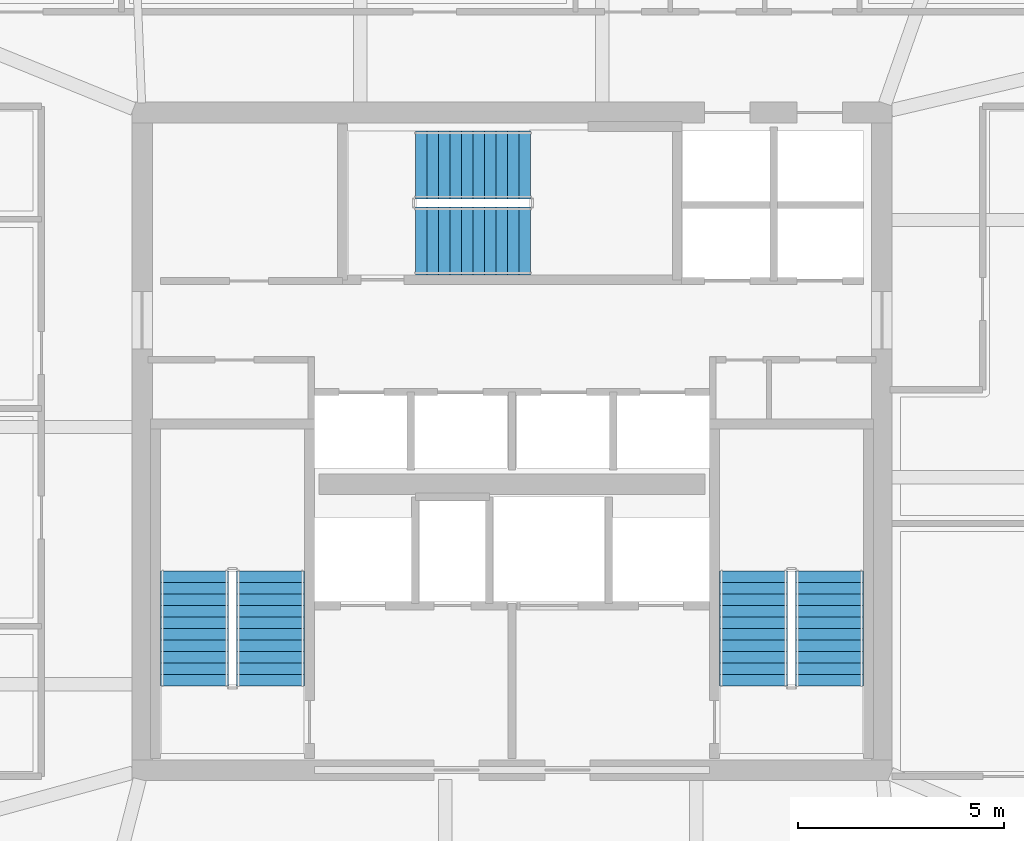
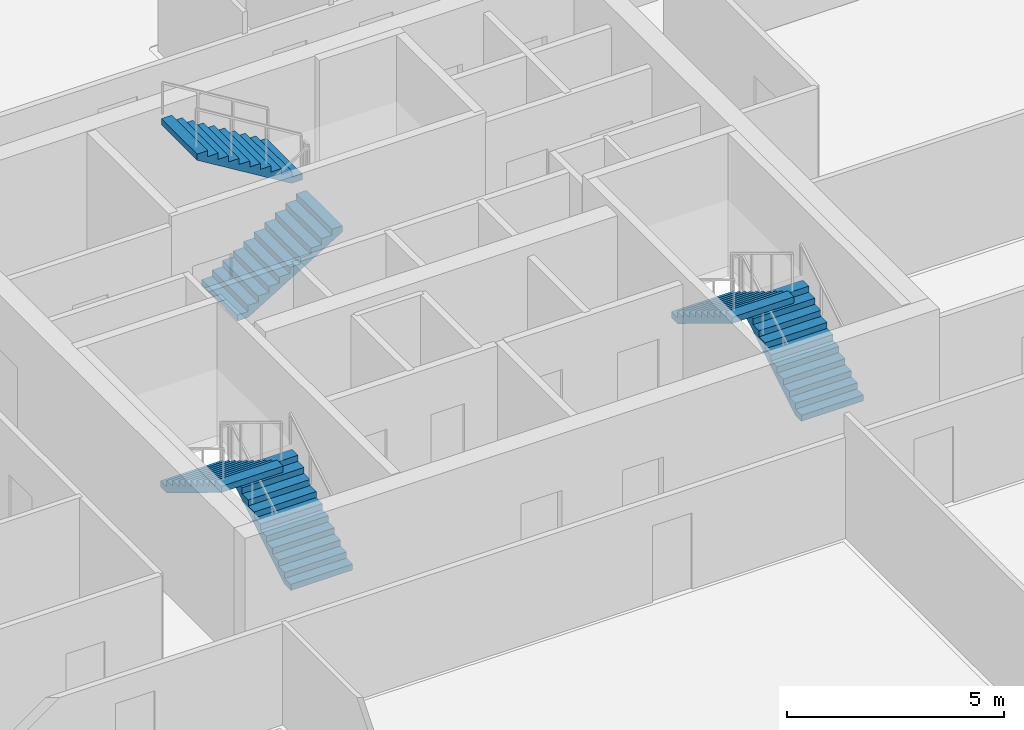
# One storey, part 25 of 30: 6 stair flights, 3 elements without a shape of their own.
"""IFC4 building model written with IfcOpenShell, lengths in metres."""

from ifc_helpers import new_model, si_unit, direction, frame, origin, place, context, subcontext, project, spatial, polyline, outline, extrude, material, type_object, element, aggregate, save


model = new_model("IFC4")

# Units and contexts
model_context = context("Model", 3, precision=1e-05, world=origin(), true_north=direction((0.0, 1.0)))
body_context = subcontext(model_context, "Body", "Model", "MODEL_VIEW")
ifc_project = project(units=[si_unit("LENGTHUNIT", "METRE"), si_unit("AREAUNIT", "SQUARE_METRE"), si_unit("VOLUMEUNIT", "CUBIC_METRE"), si_unit("PLANEANGLEUNIT", "RADIAN"), si_unit("MASSUNIT", "GRAM", prefix="KILO")], contexts=[model_context])

# Site, building, storey
site_placement = place(None, origin())
site = spatial("IfcSite", under=ifc_project, at=site_placement, CompositionType="ELEMENT")
building_placement = place(site_placement, origin())
building = spatial("IfcBuilding", under=site, at=building_placement, Name="Haldenkirk Collegiate Tower", CompositionType="ELEMENT")
storey_placement = place(building_placement, frame((0.0, 0.0, 220.949951171875)))
storey = spatial("IfcBuildingStorey", under=building, at=storey_placement, Name="L55", CompositionType="ELEMENT", Elevation=220.949951171875)

# Stair, stair flights
ifc_material = material(Name="Concrete f'c 40 MPa", Category="concrete")
stair_type = type_object("IfcStairType", Name="STR-DOGLEG-1650", PredefinedType="HALF_TURN_STAIR", material=ifc_material)
stair_1_placement = place(storey_placement, origin())
stair_1 = element("IfcStair", 1, at=stair_1_placement, inside=storey, type_object=stair_type, Name="L55 Core Exit Stair ST-1", PredefinedType="HALF_TURN_STAIR")
stair_flight_type = type_object("IfcStairFlightType", Name="STF-FLIGHT-1650", PredefinedType="STRAIGHT", material=ifc_material)
stair_flight_1_placement = place(storey_placement, frame((30.125, 20.050048828125, 0.0), z_axis=(0.0, 0.0, 1.0), x_axis=(0.0, 1.0, 0.0)))
stair_flight_1 = element("IfcStairFlight", 2, at=stair_flight_1_placement, type_object=stair_flight_type, Name="ST-1 flight 1", NumberOfRisers=11, NumberOfTreads=10, PredefinedType="STRAIGHT", RiserHeight=0.170454545, TreadLength=0.28, context=body_context, shape_type="SweptSolid", body=[
    extrude(outline(polyline([(0.0, 0.0), (0.0, 0.17041015625), (0.280029296875, 0.17041015625), (0.280029296875, 0.3408203125), (0.56005859375, 0.3408203125), (0.56005859375, 0.511474609375), (0.840087890625, 0.511474609375), (0.840087890625, 0.681884765625), (1.1201171875, 0.681884765625), (1.1201171875, 0.852294921875), (1.39990234375, 0.852294921875), (1.39990234375, 1.022705078125), (1.679931640625, 1.022705078125), (1.679931640625, 1.193115234375), (1.9599609375, 1.193115234375), (1.9599609375, 1.363525390625), (2.239990234375, 1.363525390625), (2.239990234375, 1.5341796875), (2.52001953125, 1.5341796875), (2.52001953125, 1.70458984375), (2.800048828125, 1.70458984375), (2.800048828125, 1.875), (2.800048828125, 1.529052734375), (0.288330078125, 0.0), (0.0, 0.0)])), frame((0.0, 0.824951171875, 0.0), z_axis=(0.0, -1.0, 0.0), x_axis=(1.0, 0.0, 0.0)), (0.0, 0.0, 1.0), 1.64990234375),
])
stair_flight_2_placement = place(storey_placement, frame((28.27490234375, 22.85009765625, 1.875), z_axis=(0.0, 0.0, 1.0), x_axis=(0.0, -1.0, 0.0)))
stair_flight_2 = element("IfcStairFlight", 3, at=stair_flight_2_placement, type_object=stair_flight_type, Name="ST-1 flight 2", NumberOfRisers=11, NumberOfTreads=10, PredefinedType="STRAIGHT", RiserHeight=0.170454545, TreadLength=0.28, context=body_context, shape_type="SweptSolid", body=[
    extrude(outline(polyline([(0.0, 0.0), (0.0, 0.17041015625), (0.280029296875, 0.17041015625), (0.280029296875, 0.3408203125), (0.56005859375, 0.3408203125), (0.56005859375, 0.511474609375), (0.840087890625, 0.511474609375), (0.840087890625, 0.681884765625), (1.1201171875, 0.681884765625), (1.1201171875, 0.852294921875), (1.39990234375, 0.852294921875), (1.39990234375, 1.022705078125), (1.679931640625, 1.022705078125), (1.679931640625, 1.193115234375), (1.9599609375, 1.193115234375), (1.9599609375, 1.363525390625), (2.239990234375, 1.363525390625), (2.239990234375, 1.5341796875), (2.52001953125, 1.5341796875), (2.52001953125, 1.70458984375), (2.800048828125, 1.70458984375), (2.800048828125, 1.875), (2.800048828125, 1.529052734375), (0.288330078125, 0.0), (0.0, 0.0)])), frame((0.0, 0.824951171875, 0.0), z_axis=(0.0, -1.0, 0.0), x_axis=(1.0, 0.0, 0.0)), (0.0, 0.0, 1.0), 1.64990234375),
])
aggregate(stair_1, [stair_flight_1, stair_flight_2])

stair_2_placement = place(storey_placement, origin())
stair_2 = element("IfcStair", 4, at=stair_2_placement, inside=storey, type_object=stair_type, Name="L55 Core Exit Stair ST-2", PredefinedType="HALF_TURN_STAIR")
stair_flight_3_placement = place(storey_placement, frame((43.72509765625, 20.050048828125, 0.0), z_axis=(0.0, 0.0, 1.0), x_axis=(0.0, 1.0, 0.0)))
stair_flight_3 = element("IfcStairFlight", 5, at=stair_flight_3_placement, type_object=stair_flight_type, Name="ST-2 flight 1", NumberOfRisers=11, NumberOfTreads=10, PredefinedType="STRAIGHT", RiserHeight=0.170454545, TreadLength=0.28, context=body_context, shape_type="SweptSolid", body=[
    extrude(outline(polyline([(0.0, 0.0), (0.0, 0.17041015625), (0.280029296875, 0.17041015625), (0.280029296875, 0.3408203125), (0.56005859375, 0.3408203125), (0.56005859375, 0.511474609375), (0.840087890625, 0.511474609375), (0.840087890625, 0.681884765625), (1.1201171875, 0.681884765625), (1.1201171875, 0.852294921875), (1.39990234375, 0.852294921875), (1.39990234375, 1.022705078125), (1.679931640625, 1.022705078125), (1.679931640625, 1.193115234375), (1.9599609375, 1.193115234375), (1.9599609375, 1.363525390625), (2.239990234375, 1.363525390625), (2.239990234375, 1.5341796875), (2.52001953125, 1.5341796875), (2.52001953125, 1.70458984375), (2.800048828125, 1.70458984375), (2.800048828125, 1.875), (2.800048828125, 1.529052734375), (0.288330078125, 0.0), (0.0, 0.0)])), frame((0.0, 0.824951171875, 0.0), z_axis=(0.0, -1.0, 0.0), x_axis=(1.0, 0.0, 0.0)), (0.0, 0.0, 1.0), 1.64990234375),
])
stair_flight_4_placement = place(storey_placement, frame((41.875, 22.85009765625, 1.875), z_axis=(0.0, 0.0, 1.0), x_axis=(0.0, -1.0, 0.0)))
stair_flight_4 = element("IfcStairFlight", 6, at=stair_flight_4_placement, type_object=stair_flight_type, Name="ST-2 flight 2", NumberOfRisers=11, NumberOfTreads=10, PredefinedType="STRAIGHT", RiserHeight=0.170454545, TreadLength=0.28, context=body_context, shape_type="SweptSolid", body=[
    extrude(outline(polyline([(0.0, 0.0), (0.0, 0.17041015625), (0.280029296875, 0.17041015625), (0.280029296875, 0.3408203125), (0.56005859375, 0.3408203125), (0.56005859375, 0.511474609375), (0.840087890625, 0.511474609375), (0.840087890625, 0.681884765625), (1.1201171875, 0.681884765625), (1.1201171875, 0.852294921875), (1.39990234375, 0.852294921875), (1.39990234375, 1.022705078125), (1.679931640625, 1.022705078125), (1.679931640625, 1.193115234375), (1.9599609375, 1.193115234375), (1.9599609375, 1.363525390625), (2.239990234375, 1.363525390625), (2.239990234375, 1.5341796875), (2.52001953125, 1.5341796875), (2.52001953125, 1.70458984375), (2.800048828125, 1.70458984375), (2.800048828125, 1.875), (2.800048828125, 1.529052734375), (0.288330078125, 0.0), (0.0, 0.0)])), frame((0.0, 0.824951171875, 0.0), z_axis=(0.0, -1.0, 0.0), x_axis=(1.0, 0.0, 0.0)), (0.0, 0.0, 1.0), 1.64990234375),
])
aggregate(stair_2, [stair_flight_3, stair_flight_4])

stair_3_placement = place(storey_placement, origin())
stair_3 = element("IfcStair", 7, at=stair_3_placement, inside=storey, type_object=stair_type, Name="L55 Core Exit Stair ST-3", PredefinedType="HALF_TURN_STAIR")
stair_flight_5_placement = place(storey_placement, frame((33.64990234375, 30.875, 0.0), z_axis=(0.0, 0.0, 1.0), x_axis=(1.0, 0.0, 0.0)))
stair_flight_5 = element("IfcStairFlight", 8, at=stair_flight_5_placement, type_object=stair_flight_type, Name="ST-3 flight 1", NumberOfRisers=11, NumberOfTreads=10, PredefinedType="STRAIGHT", RiserHeight=0.170454545, TreadLength=0.28, context=body_context, shape_type="SweptSolid", body=[
    extrude(outline(polyline([(0.0, 0.0), (0.0, 0.17041015625), (0.280029296875, 0.17041015625), (0.280029296875, 0.3408203125), (0.56005859375, 0.3408203125), (0.56005859375, 0.511474609375), (0.840087890625, 0.511474609375), (0.840087890625, 0.681884765625), (1.1201171875, 0.681884765625), (1.1201171875, 0.852294921875), (1.39990234375, 0.852294921875), (1.39990234375, 1.022705078125), (1.679931640625, 1.022705078125), (1.679931640625, 1.193115234375), (1.9599609375, 1.193115234375), (1.9599609375, 1.363525390625), (2.239990234375, 1.363525390625), (2.239990234375, 1.5341796875), (2.52001953125, 1.5341796875), (2.52001953125, 1.70458984375), (2.800048828125, 1.70458984375), (2.800048828125, 1.875), (2.800048828125, 1.529052734375), (0.288330078125, 0.0), (0.0, 0.0)])), frame((0.0, 0.824951171875, 0.0), z_axis=(0.0, -1.0, 0.0), x_axis=(1.0, 0.0, 0.0)), (0.0, 0.0, 1.0), 1.64990234375),
])
stair_flight_6_placement = place(storey_placement, frame((36.449951171875, 32.72509765625, 1.875), z_axis=(0.0, 0.0, 1.0), x_axis=(-1.0, 0.0, 0.0)))
stair_flight_6 = element("IfcStairFlight", 9, at=stair_flight_6_placement, type_object=stair_flight_type, Name="ST-3 flight 2", NumberOfRisers=11, NumberOfTreads=10, PredefinedType="STRAIGHT", RiserHeight=0.170454545, TreadLength=0.28, context=body_context, shape_type="SweptSolid", body=[
    extrude(outline(polyline([(0.0, 0.0), (0.0, 0.17041015625), (0.280029296875, 0.17041015625), (0.280029296875, 0.3408203125), (0.56005859375, 0.3408203125), (0.56005859375, 0.511474609375), (0.840087890625, 0.511474609375), (0.840087890625, 0.681884765625), (1.1201171875, 0.681884765625), (1.1201171875, 0.852294921875), (1.39990234375, 0.852294921875), (1.39990234375, 1.022705078125), (1.679931640625, 1.022705078125), (1.679931640625, 1.193115234375), (1.9599609375, 1.193115234375), (1.9599609375, 1.363525390625), (2.239990234375, 1.363525390625), (2.239990234375, 1.5341796875), (2.52001953125, 1.5341796875), (2.52001953125, 1.70458984375), (2.800048828125, 1.70458984375), (2.800048828125, 1.875), (2.800048828125, 1.529052734375), (0.288330078125, 0.0), (0.0, 0.0)])), frame((0.0, 0.824951171875, 0.0), z_axis=(0.0, -1.0, 0.0), x_axis=(1.0, 0.0, 0.0)), (0.0, 0.0, 1.0), 1.64990234375),
])
aggregate(stair_3, [stair_flight_5, stair_flight_6])

save(model, "model.ifc")
